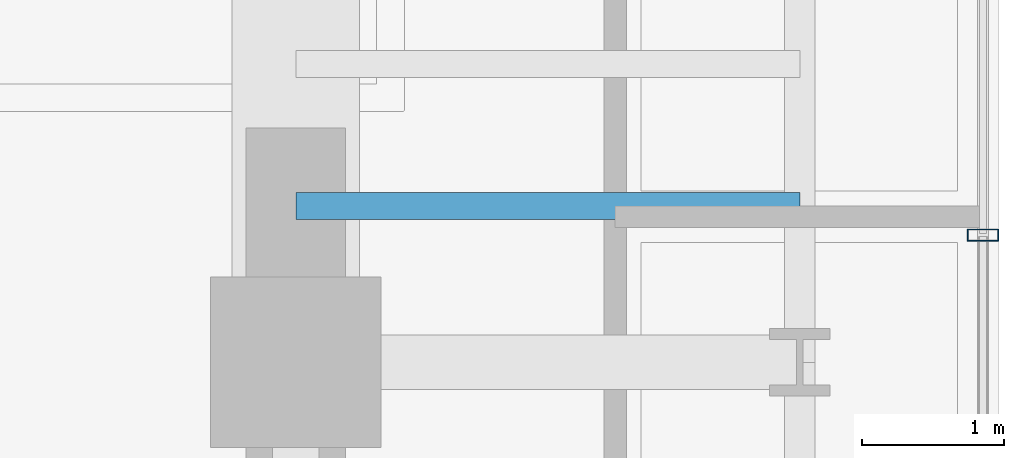
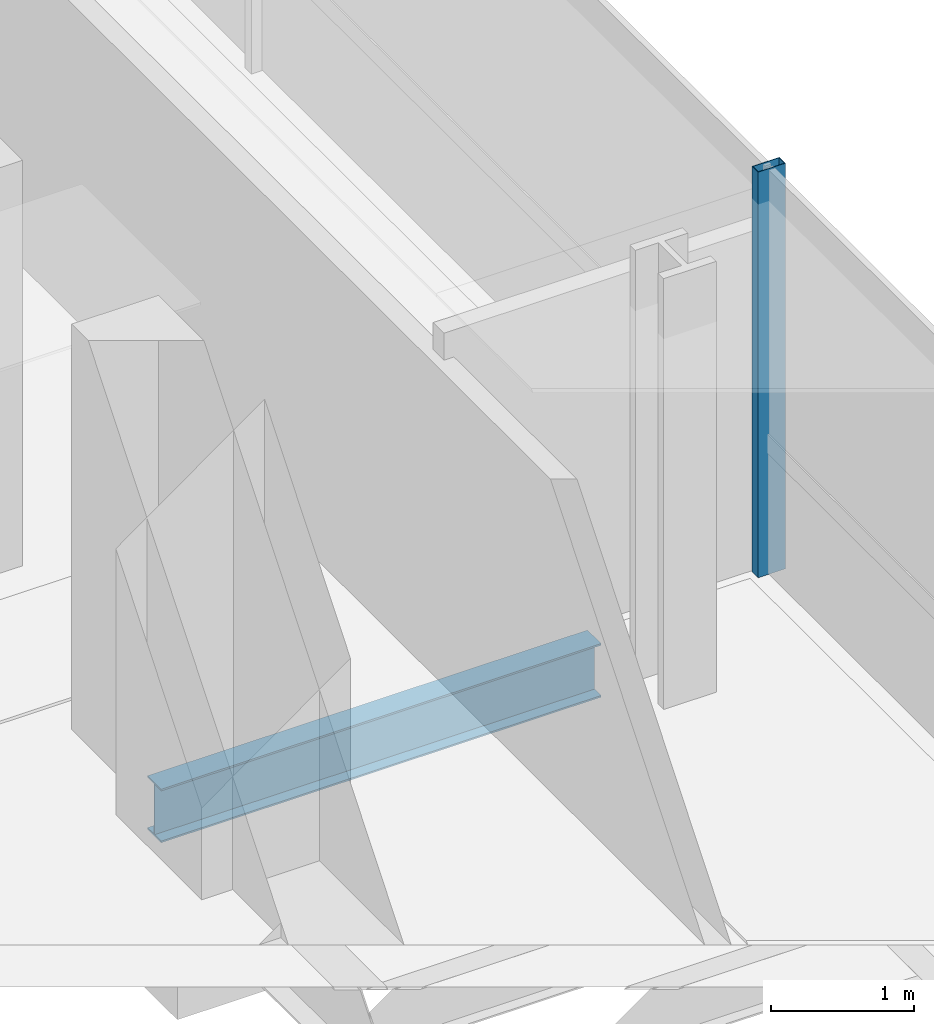
# One storey, part 12 of 34: 1 beam, 1 member, 1 element without a shape of its own.
"""IFC4 building model written with IfcOpenShell, lengths in metres."""

from ifc_helpers import new_model, si_unit, direction, frame, origin, origin_2d, place, context, subcontext, project, spatial, hollow_rectangle, i_section, extrude, source, transform, mapped, material, material_profile, profile_set, type_object, element, aggregate, save


model = new_model("IFC4")

# Units and contexts
model_context = context("Model", 3, precision=1e-05, world=origin(), true_north=direction((0.0, 1.0)))
body_context = subcontext(model_context, "Body", "Model", "MODEL_VIEW")
ifc_project = project(units=[si_unit("LENGTHUNIT", "METRE"), si_unit("AREAUNIT", "SQUARE_METRE"), si_unit("VOLUMEUNIT", "CUBIC_METRE"), si_unit("PLANEANGLEUNIT", "RADIAN"), si_unit("MASSUNIT", "GRAM", prefix="KILO")], contexts=[model_context])

# Site, building, storey
site_placement = place(None, origin())
site = spatial("IfcSite", under=ifc_project, at=site_placement, CompositionType="ELEMENT")
building_placement = place(site_placement, origin())
building = spatial("IfcBuilding", under=site, at=building_placement, Name="Valdorenza Pilgrim Sanctuary Tower", CompositionType="ELEMENT")
storey_placement = place(building_placement, frame((0.0, 0.0, 142.699951171875)))
storey = spatial("IfcBuildingStorey", under=building, at=storey_placement, Name="L36", CompositionType="ELEMENT", Elevation=142.699951171875)

# Beam
ifc_material_1 = material(Name="Steel ASTM A992 Grade 50", Category="steel")
ifc_material_profile_1 = material_profile(ifc_material_1, i_section(OverallWidth=0.19091796875, OverallDepth=0.45703125, WebThickness=0.009033203125, FlangeThickness=0.014404296875, at=origin_2d()), Name="W18X50")
ifc_profile_set_1 = profile_set([ifc_material_profile_1], Name="Steel ASTM A992 Grade 50")
beam_type = type_object("IfcBeamType", Name="STR-BM-JST-W18B", PredefinedType="JOIST", material=ifc_profile_set_1)
shared_shape_1 = source(origin(), body_context, "Body", "SweptSolid", [
    extrude(i_section(OverallWidth=0.19091796875, OverallDepth=0.45703125, WebThickness=0.009033203125, FlangeThickness=0.014404296875, at=origin_2d()), origin(), (0.0, 0.0, 1.0), 3.5498046875),
])
beam_placement = place(storey_placement, frame((24.85009765625, -1.5, -0.468505859375), z_axis=(1.0, 0.0, 0.0), x_axis=(0.0, 1.0, 0.0)))
element("IfcBeam", 1, at=beam_placement, inside=storey, type_object=beam_type, Name="L36 Composite Floor Joist JST-WB-8", PredefinedType="JOIST", context=body_context, shape_type="MappedRepresentation", body=[
    mapped(shared_shape_1, transform((0.0, 0.0, 0.0), x_axis=(1.0, 0.0, 0.0), y_axis=(0.0, 1.0, 0.0), z_axis=(0.0, 0.0, 1.0), scale=1.0)),
])

# Curtain wall, member
ifc_material_2 = material(Name="Curtain-wall IGU glazing", Category="glass")
curtain_wall_type = type_object("IfcCurtainWallType", Name="CW-SYS-03", PredefinedType="NOTDEFINED", material=ifc_material_2)
curtain_wall_placement = place(storey_placement, origin())
curtain_wall = element("IfcCurtainWall", 2, at=curtain_wall_placement, inside=storey, type_object=curtain_wall_type, Name="L36 Curtain Wall CW-L36-1-21", PredefinedType="NOTDEFINED")
ifc_material_3 = material(Name="Anodised aluminium AW-6060", Category="aluminium")
ifc_material_profile_2 = material_profile(ifc_material_3, hollow_rectangle(XDim=0.0849609375, YDim=0.219970703125, WallThickness=0.0048828125, at=origin_2d()), Name="ALU-M 220x85x5")
ifc_profile_set_2 = profile_set([ifc_material_profile_2], Name="Anodised aluminium AW-6060")
member_type = type_object("IfcMemberType", Name="CW-MUL-03", PredefinedType="MULLION", material=ifc_profile_set_2)
shared_shape_2 = source(origin(), body_context, "Body", "SweptSolid", [
    extrude(hollow_rectangle(XDim=0.0849609375, YDim=0.219970703125, WallThickness=0.0048828125, at=origin_2d()), origin(), (0.0, 0.0, 1.0), 3.4599609375),
])
member_placement = place(storey_placement, frame((29.68994140625, -1.7041015625, 0.0), z_axis=(0.0, 0.0, 1.0), x_axis=(0.0, -1.0, 0.0)))
member = element("IfcMember", 3, at=member_placement, type_object=member_type, Name="CW-L36-1-21 Mullion 3", PredefinedType="MULLION", context=body_context, shape_type="MappedRepresentation", body=[
    mapped(shared_shape_2, transform((0.0, 0.0, 0.0), x_axis=(1.0, 0.0, 0.0), y_axis=(0.0, 1.0, 0.0), z_axis=(0.0, 0.0, 1.0), scale=1.0)),
])
aggregate(curtain_wall, [member])

save(model, "model.ifc")
